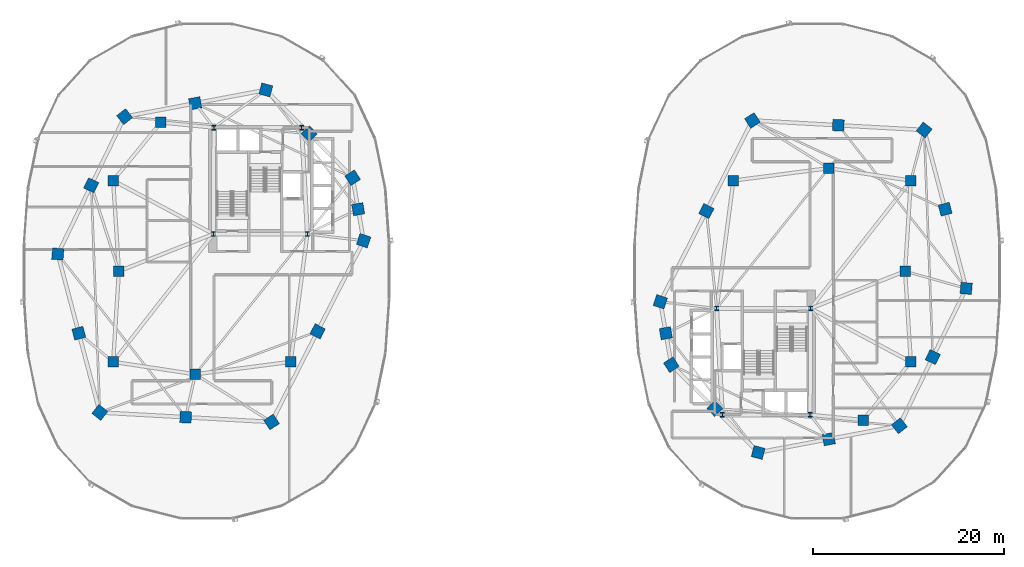
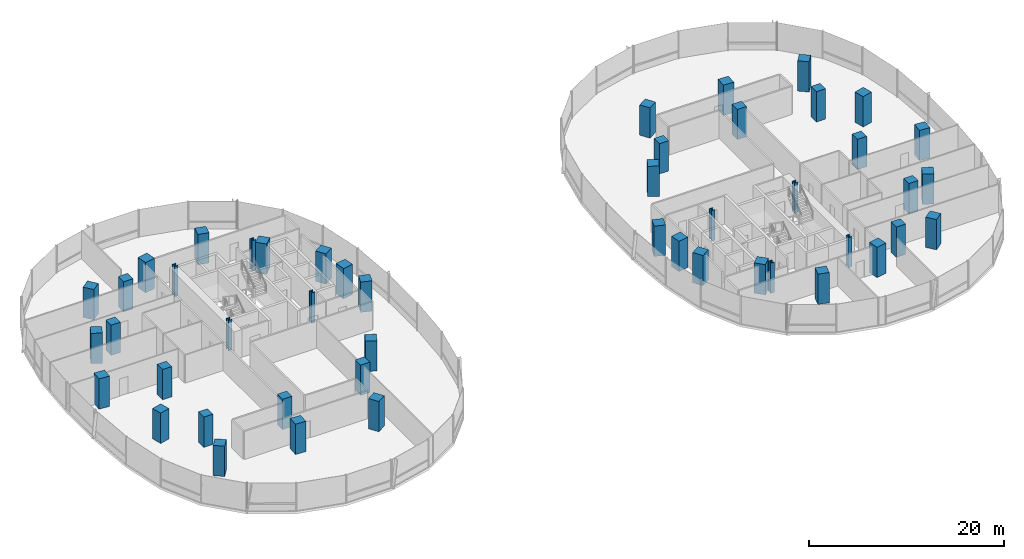
# One storey, part 1 of 21: 48 columns.
"""IFC4 building model written with IfcOpenShell, lengths in metres."""

from ifc_helpers import new_model, si_unit, direction, frame, origin, origin_2d, place, context, subcontext, project, spatial, rectangle, i_section, extrude, material, material_profile, profile_set, type_object, element, save


model = new_model("IFC4")

# Units and contexts
model_context = context("Model", 3, precision=1e-05, world=origin(), true_north=direction((0.0, 1.0)))
body_context = subcontext(model_context, "Body", "Model", "MODEL_VIEW")
ifc_project = project(units=[si_unit("LENGTHUNIT", "METRE"), si_unit("AREAUNIT", "SQUARE_METRE"), si_unit("VOLUMEUNIT", "CUBIC_METRE"), si_unit("PLANEANGLEUNIT", "RADIAN"), si_unit("MASSUNIT", "GRAM", prefix="KILO"), si_unit("THERMODYNAMICTEMPERATUREUNIT", "KELVIN"), si_unit("POWERUNIT", "WATT")], contexts=[model_context])

# Site, building, storey
site_placement = place(None, origin())
site = spatial("IfcSite", under=ifc_project, at=site_placement, CompositionType="ELEMENT")
building_placement = place(site_placement, origin())
building = spatial("IfcBuilding", under=site, at=building_placement, Name="Cundina Bronze Exchange", CompositionType="ELEMENT")
storey_placement = place(building_placement, frame((0.0, 0.0, 31.60009765625)))
storey = spatial("IfcBuildingStorey", under=building, at=storey_placement, Name="L07", CompositionType="ELEMENT", Elevation=31.60009765625)

# Columns
ifc_material_1 = material(Name="Steel ASTM A992 Grade 50", Category="steel")
ifc_material_profile_1 = material_profile(ifc_material_1, i_section(OverallWidth=0.431884765625, OverallDepth=0.498046875, WebThickness=0.0556640625, FlangeThickness=0.0888671875, FilletRadius=0.01806640625, at=origin_2d()), Name="W14X500", Category="steel")
ifc_profile_set_1 = profile_set([ifc_material_profile_1], Name="Steel ASTM A992 Grade 50")
column_type_1 = type_object("IfcColumnType", Name="COL-STL-W14A", PredefinedType="COLUMN", material=ifc_profile_set_1)
for number, where, z_axis, x_axis, name in (
    (1, (-31.300048828125, 3.89990234375, 0.0), (0.0, 0.0, 1.0), (1.0, 0.0, 0.0), "L07 Core Anchor Column W1"),
    (2, (-21.449951171875, 3.89990234375, 0.0), (0.0, 0.0, 1.0), (1.0, 0.0, 0.0), "L07 Core Anchor Column W2"),
    (3, (-22.050048828125, 15.050048828125, 0.0), (0.0, 0.0, 1.0), (1.0, 0.0, 0.0), "L07 Core Anchor Column W3"),
    (4, (-31.25, 15.050048828125, 0.0), (0.0, 0.0, 1.0), (1.0, 0.0, 0.0), "L07 Core Anchor Column W4"),
    (5, (31.300048828125, -3.89990234375, 0.0), (0.0, 0.0, 1.0), (1.0, 0.0, 0.0), "L07 Core Anchor Column E1"),
    (6, (21.449951171875, -3.89990234375, 0.0), (0.0, 0.0, 1.0), (1.0, 0.0, 0.0), "L07 Core Anchor Column E2"),
    (7, (22.050048828125, -15.050048828125, 0.0), (0.0, 0.0, 1.0), (1.0, 0.0, 0.0), "L07 Core Anchor Column E3"),
    (8, (31.25, -15.050048828125, 0.0), (0.0, 0.0, 1.0), (1.0, 0.0, 0.0), "L07 Core Anchor Column E4"),
):
    element("IfcColumn", number, at=place(storey_placement, frame(where, z_axis=z_axis, x_axis=x_axis)), inside=storey, type_object=column_type_1, Name=name, PredefinedType="COLUMN", context=body_context, shape_type="SweptSolid", body=[
        extrude(i_section(OverallWidth=0.431884765625, OverallDepth=0.498046875, WebThickness=0.0556640625, FlangeThickness=0.0888671875, FilletRadius=0.01806640625, at=origin_2d()), origin(), (0.0, 0.0, 1.0), 3.7998046875),
    ])
ifc_material_2 = material(Name="Concrete C60/75", Category="concrete")
ifc_material_profile_2 = material_profile(ifc_material_2, rectangle(XDim=1.199951171875, YDim=1.199951171875, at=origin_2d()), Name="RC1200X1200", Category="concrete")
ifc_profile_set_2 = profile_set([ifc_material_profile_2], Name="Concrete C60/75")
column_type_2 = type_object("IfcColumnType", Name="COL-Z1-1200", PredefinedType="COLUMN", material=ifc_profile_set_2)
for number, where, z_axis, x_axis, name in (
    (9, (-15.550048828125, 3.199951171875, 0.0), (0.0, 0.0, 1.0), (0.315152163383, 0.949041155016, 0.0), "L07 W Perimeter Column 00"),
    (10, (-16.125, 6.5, 0.0), (0.0, 0.0, 1.0), (-0.171585221787, 0.985169280715, 0.0), "L07 W Perimeter Column 01"),
    (11, (-16.699951171875, 9.800048828125, 0.0), (0.0, 0.0, 1.0), (-0.544199833495, 0.838955625301, 0.0), "L07 W Perimeter Column 02"),
    (12, (-21.25, 14.39990234375, 0.0), (0.0, 0.0, 1.0), (-0.703270634186, 0.710922228581, 0.0), "L07 W Perimeter Column 03"),
    (13, (-25.800048828125, 19.0, 0.0), (0.0, 0.0, 1.0), (-0.965970984022, 0.258650455301, 0.0), "L07 W Perimeter Column 04"),
    (14, (-33.199951171875, 17.60009765625, 0.0), (0.0, 0.0, 1.0), (-0.98258037664, -0.185838110843, 0.0), "L07 W Perimeter Column 05"),
    (15, (-40.60009765625, 16.199951171875, 0.0), (0.0, 0.0, 1.0), (-0.785100778485, -0.619368038909, 0.0), "L07 W Perimeter Column 06"),
    (16, (-44.10009765625, 9.0, 0.0), (0.0, 0.0, 1.0), (-0.437115766651, -0.899405251566, 0.0), "L07 W Perimeter Column 07"),
    (17, (-47.60009765625, 1.800048828125, 0.0), (0.0, 0.0, 1.0), (-0.083503921245, -0.996507448611, 0.0), "L07 W Perimeter Column 08"),
    (18, (-45.39990234375, -6.5, 0.0), (0.0, 0.0, 1.0), (0.256289373133, -0.966600102017, 0.0), "L07 W Perimeter Column 09"),
    (19, (-43.199951171875, -14.800048828125, 0.0), (0.0, 0.0, 1.0), (0.786288432137, -0.61785961309, 0.0), "L07 W Perimeter Column 10"),
    (20, (-34.199951171875, -15.300048828125, 0.0), (0.0, 0.0, 1.0), (0.998460188734, -0.055472980025, 0.0), "L07 W Perimeter Column 11"),
    (21, (-25.199951171875, -15.800048828125, 0.0), (0.0, 0.0, 1.0), (0.838099763533, 0.545516989988, 0.0), "L07 W Perimeter Column 12"),
    (22, (-20.375, -6.300048828125, 0.0), (0.0, 0.0, 1.0), (0.452901591366, 0.891560513111, 0.0), "L07 W Perimeter Column 13"),
    (23, (15.550048828125, -3.199951171875, 0.0), (0.0, 0.0, 1.0), (-0.315152163383, -0.949041155016, 0.0), "L07 E Perimeter Column 00"),
    (24, (16.125, -6.5, 0.0), (0.0, 0.0, 1.0), (0.171585221787, -0.985169280715, 0.0), "L07 E Perimeter Column 01"),
    (25, (16.699951171875, -9.800048828125, 0.0), (0.0, 0.0, 1.0), (0.544199833495, -0.838955625301, 0.0), "L07 E Perimeter Column 02"),
    (26, (21.25, -14.39990234375, 0.0), (0.0, 0.0, 1.0), (0.703270634186, -0.710922228581, 0.0), "L07 E Perimeter Column 03"),
    (27, (25.800048828125, -19.0, 0.0), (0.0, 0.0, 1.0), (0.965970984022, -0.258650455301, 0.0), "L07 E Perimeter Column 04"),
    (28, (33.199951171875, -17.60009765625, 0.0), (0.0, 0.0, 1.0), (0.98258037664, 0.185838110843, 0.0), "L07 E Perimeter Column 05"),
    (29, (40.60009765625, -16.199951171875, 0.0), (0.0, 0.0, 1.0), (0.785100778485, 0.619368038909, 0.0), "L07 E Perimeter Column 06"),
    (30, (44.10009765625, -9.0, 0.0), (0.0, 0.0, 1.0), (0.437115766651, 0.899405251566, 0.0), "L07 E Perimeter Column 07"),
    (31, (47.60009765625, -1.800048828125, 0.0), (0.0, 0.0, 1.0), (0.083503921245, 0.996507448611, 0.0), "L07 E Perimeter Column 08"),
    (32, (45.39990234375, 6.5, 0.0), (0.0, 0.0, 1.0), (-0.256289373133, 0.966600102017, 0.0), "L07 E Perimeter Column 09"),
    (33, (43.199951171875, 14.800048828125, 0.0), (0.0, 0.0, 1.0), (-0.786288432137, 0.61785961309, 0.0), "L07 E Perimeter Column 10"),
    (34, (34.199951171875, 15.300048828125, 0.0), (0.0, 0.0, 1.0), (-0.998460188734, 0.055472980025, 0.0), "L07 E Perimeter Column 11"),
    (35, (25.199951171875, 15.800048828125, 0.0), (0.0, 0.0, 1.0), (-0.838099763533, -0.545516989988, 0.0), "L07 E Perimeter Column 12"),
    (36, (20.375, 6.300048828125, 0.0), (0.0, 0.0, 1.0), (-0.452901591366, -0.891560513111, 0.0), "L07 E Perimeter Column 13"),
):
    element("IfcColumn", number, at=place(storey_placement, frame(where, z_axis=z_axis, x_axis=x_axis)), inside=storey, type_object=column_type_2, Name=name, PredefinedType="COLUMN", context=body_context, shape_type="SweptSolid", body=[
        extrude(rectangle(XDim=1.199951171875, YDim=1.199951171875, at=origin_2d()), origin(), (0.0, 0.0, 1.0), 3.7998046875),
    ])
ifc_material_profile_3 = material_profile(ifc_material_2, rectangle(XDim=1.10009765625, YDim=1.10009765625, at=origin_2d()), Name="RC1100X1100", Category="concrete")
ifc_profile_set_3 = profile_set([ifc_material_profile_3], Name="Concrete C60/75")
column_type_3 = type_object("IfcColumnType", Name="COL-Z2-1100", PredefinedType="COLUMN", material=ifc_profile_set_3)
for number, where, z_axis, x_axis, name in (
    (37, (-41.199951171875, 0.0, 0.0), (0.0, 0.0, 1.0), (1.0, 0.0, 0.0), "L07 W Inner Ring Column 1"),
    (38, (-41.800048828125, 9.5, 0.0), (0.0, 0.0, 1.0), (1.0, 0.0, 0.0), "L07 W Inner Ring Column 2"),
    (39, (-36.800048828125, 15.60009765625, 0.0), (0.0, 0.0, 1.0), (1.0, 0.0, 0.0), "L07 W Inner Ring Column 3"),
    (40, (-41.800048828125, -9.5, 0.0), (0.0, 0.0, 1.0), (1.0, 0.0, 0.0), "L07 W Inner Ring Column 4"),
    (41, (-33.199951171875, -10.800048828125, 0.0), (0.0, 0.0, 1.0), (1.0, 0.0, 0.0), "L07 W Inner Ring Column 5"),
    (42, (-23.199951171875, -9.5, 0.0), (0.0, 0.0, 1.0), (1.0, 0.0, 0.0), "L07 W Inner Ring Column 6"),
    (43, (41.199951171875, 0.0, 0.0), (0.0, 0.0, 1.0), (1.0, 0.0, 0.0), "L07 E Inner Ring Column 1"),
    (44, (41.800048828125, -9.5, 0.0), (0.0, 0.0, 1.0), (1.0, 0.0, 0.0), "L07 E Inner Ring Column 2"),
    (45, (36.800048828125, -15.60009765625, 0.0), (0.0, 0.0, 1.0), (1.0, 0.0, 0.0), "L07 E Inner Ring Column 3"),
    (46, (41.800048828125, 9.5, 0.0), (0.0, 0.0, 1.0), (1.0, 0.0, 0.0), "L07 E Inner Ring Column 4"),
    (47, (33.199951171875, 10.800048828125, 0.0), (0.0, 0.0, 1.0), (1.0, 0.0, 0.0), "L07 E Inner Ring Column 5"),
    (48, (23.199951171875, 9.5, 0.0), (0.0, 0.0, 1.0), (1.0, 0.0, 0.0), "L07 E Inner Ring Column 6"),
):
    element("IfcColumn", number, at=place(storey_placement, frame(where, z_axis=z_axis, x_axis=x_axis)), inside=storey, type_object=column_type_3, Name=name, PredefinedType="COLUMN", context=body_context, shape_type="SweptSolid", body=[
        extrude(rectangle(XDim=1.10009765625, YDim=1.10009765625, at=origin_2d()), origin(), (0.0, 0.0, 1.0), 3.7998046875),
    ])

save(model, "model.ifc")
